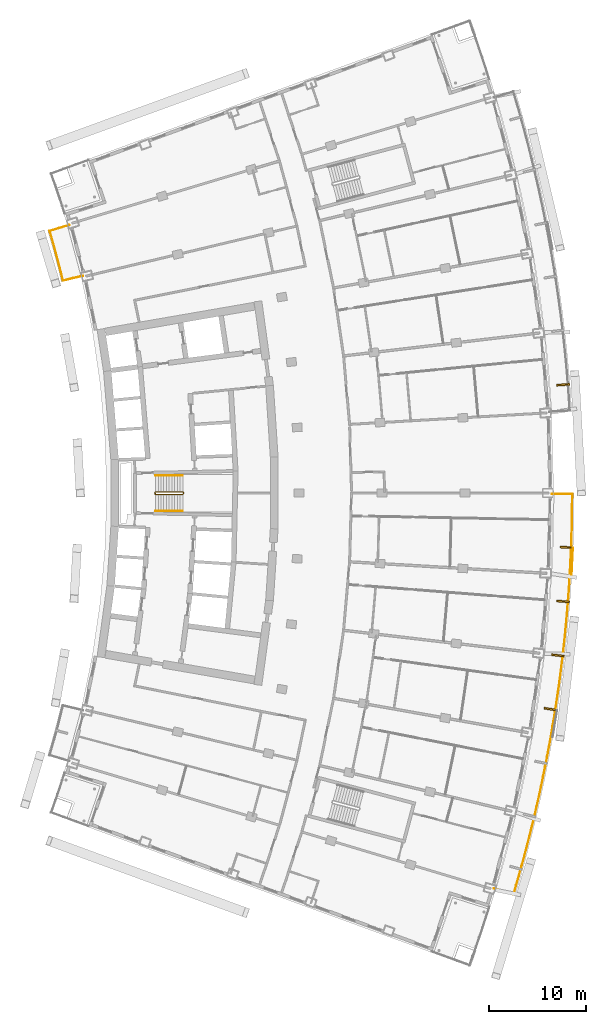
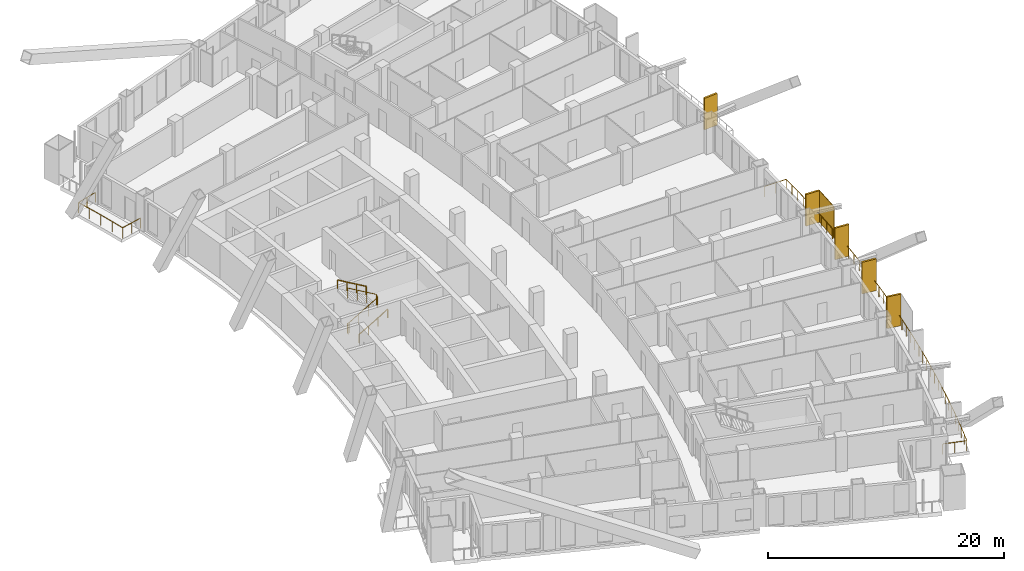
# One storey, part 24 of 25: 6 shading devices, 5 railings.
"""IFC4 building model written with IfcOpenShell, lengths in metres."""

from ifc_helpers import new_model, si_unit, direction, frame, origin, origin_with_axes, origin_2d, place, context, subcontext, project, spatial, rectangle, extrude, material, layer, layer_set, type_object, element, save


model = new_model("IFC4")

# Units and contexts
model_context = context("Model", 3, precision=1e-05, world=origin(), true_north=direction((0.0, 1.0)))
body_context = subcontext(model_context, "Body", "Model", "MODEL_VIEW")
ifc_project = project(units=[si_unit("LENGTHUNIT", "METRE"), si_unit("AREAUNIT", "SQUARE_METRE"), si_unit("VOLUMEUNIT", "CUBIC_METRE"), si_unit("PLANEANGLEUNIT", "RADIAN"), si_unit("MASSUNIT", "GRAM", prefix="KILO")], contexts=[model_context])

# Site, building, storey
site_placement = place(None, origin())
site = spatial("IfcSite", under=ifc_project, at=site_placement, CompositionType="ELEMENT")
building_placement = place(site_placement, origin())
building = spatial("IfcBuilding", under=site, at=building_placement, Name="Alderwake Tower", CompositionType="ELEMENT")
storey_placement = place(building_placement, frame((0.0, 0.0, 93.199951171875)))
storey = spatial("IfcBuildingStorey", under=building, at=storey_placement, Name="L22", CompositionType="ELEMENT", Elevation=93.199951171875)

# Railings
ifc_material_1 = material(Name="Stainless steel 316 rail and posts", Category="steel")
railing_type_1 = type_object("IfcRailingType", Name="Balcony guard 1100", PredefinedType="GUARDRAIL", material=ifc_material_1)
railing_1_placement = place(storey_placement, frame((55.839599609375, 20.320068359375, 0.0)))
element("IfcRailing", 1, at=railing_1_placement, inside=storey, type_object=railing_type_1, Name="Guard BF02", PredefinedType="GUARDRAIL", context=body_context, shape_type="SweptSolid", body=[
    extrude(rectangle(XDim=0.048095703125, YDim=0.048095703125, at=origin_2d()), frame((0.0, 0.0, 1.076171875), z_axis=(0.957954179098, -0.286921227429, 0.0), x_axis=(0.286921227429, 0.957954179098, 0.0)), (0.0, 0.0, 1.0), 2.10009765625),
    extrude(rectangle(XDim=0.048095703125, YDim=0.048095703125, at=origin_2d()), frame((2.01171875, -0.6025390625, 1.076171875), z_axis=(0.280234538423, 0.95993156187, 0.0), x_axis=(-0.95993156187, 0.280234538423, 0.0)), (0.0, 0.0, 1.0), 1.99853515625),
    extrude(rectangle(XDim=0.048095703125, YDim=0.048095703125, at=origin_2d()), frame((2.57177734375, 1.31591796875, 1.076171875), z_axis=(0.266521673868, 0.963828925359, 0.0), x_axis=(-0.963828925359, 0.266521673868, 0.0)), (0.0, 0.0, 1.0), 2.0986328125),
    extrude(rectangle(XDim=0.048095703125, YDim=0.048095703125, at=origin_2d()), frame((3.131103515625, 3.338623046875, 1.076171875), z_axis=(0.252459784968, 0.967607387825, 0.0), x_axis=(-0.967607387825, 0.252459784968, 0.0)), (0.0, 0.0, 1.0), 2.098388671875),
    extrude(rectangle(XDim=0.048095703125, YDim=0.048095703125, at=origin_2d()), frame((3.660888671875, 5.369140625, 1.076171875), z_axis=(0.238262937818, 0.971200685987, 0.0), x_axis=(-0.971200685987, 0.238262937818, 0.0)), (0.0, 0.0, 1.0), 2.0986328125),
    extrude(rectangle(XDim=0.048095703125, YDim=0.048095703125, at=origin_2d()), frame((4.160888671875, 7.4072265625, 1.076171875), z_axis=(0.224094649438, 0.974567385096, 0.0), x_axis=(-0.974567385096, 0.224094649438, 0.0)), (0.0, 0.0, 1.0), 2.098388671875),
    extrude(rectangle(XDim=0.048095703125, YDim=0.048095703125, at=origin_2d()), frame((4.631103515625, 9.4521484375, 1.076171875), z_axis=(0.209854794081, 0.977732563333, 0.0), x_axis=(-0.977732563333, 0.209854794081, 0.0)), (0.0, 0.0, 1.0), 2.0986328125),
    extrude(rectangle(XDim=0.048095703125, YDim=0.048095703125, at=origin_2d()), frame((5.071533203125, 11.504150390625, 1.076171875), z_axis=(0.195691012753, 0.980665604336, 0.0), x_axis=(-0.980665604336, 0.195691012753, 0.0)), (0.0, 0.0, 1.0), 2.098388671875),
    extrude(rectangle(XDim=0.048095703125, YDim=0.048095703125, at=origin_2d()), frame((5.482177734375, 13.56201171875, 1.076171875), z_axis=(0.18126014614, 0.983435183132, 0.0), x_axis=(-0.983435183132, 0.18126014614, 0.0)), (0.0, 0.0, 1.0), 2.098388671875),
    extrude(rectangle(XDim=0.048095703125, YDim=0.048095703125, at=origin_2d()), frame((5.862548828125, 15.625732421875, 1.076171875), z_axis=(0.16694530238, 0.985966158655, 0.0), x_axis=(-0.985966158655, 0.16694530238, 0.0)), (0.0, 0.0, 1.0), 2.0986328125),
    extrude(rectangle(XDim=0.048095703125, YDim=0.048095703125, at=origin_2d()), frame((6.212890625, 17.69482421875, 1.076171875), z_axis=(0.152520506341, 0.988300306155, 0.0), x_axis=(-0.988300306155, 0.152520506341, 0.0)), (0.0, 0.0, 1.0), 2.0986328125),
    extrude(rectangle(XDim=0.048095703125, YDim=0.048095703125, at=origin_2d()), frame((6.532958984375, 19.768798828125, 1.076171875), z_axis=(0.138097834966, 0.990418592302, 0.0), x_axis=(-0.990418592302, 0.138097834966, 0.0)), (0.0, 0.0, 1.0), 2.098388671875),
    extrude(rectangle(XDim=0.048095703125, YDim=0.048095703125, at=origin_2d()), frame((6.82275390625, 21.84716796875, 1.076171875), z_axis=(0.123662458816, 0.992324340264, 0.0), x_axis=(-0.992324340264, 0.123662458816, 0.0)), (0.0, 0.0, 1.0), 2.0986328125),
    extrude(rectangle(XDim=0.048095703125, YDim=0.048095703125, at=origin_2d()), frame((7.082275390625, 23.9296875, 1.076171875), z_axis=(0.109128966339, 0.994027599569, 0.0), x_axis=(-0.994027599569, 0.109128966339, 0.0)), (0.0, 0.0, 1.0), 2.098388671875),
    extrude(rectangle(XDim=0.048095703125, YDim=0.048095703125, at=origin_2d()), frame((7.311279296875, 26.015625, 1.076171875), z_axis=(0.094699289711, 0.995505923904, 0.0), x_axis=(-0.995505923904, 0.094699289711, 0.0)), (0.0, 0.0, 1.0), 2.0986328125),
    extrude(rectangle(XDim=0.048095703125, YDim=0.048095703125, at=origin_2d()), frame((7.510009765625, 28.104736328125, 1.076171875), z_axis=(0.080041152337, 0.996791559922, 0.0), x_axis=(-0.996791559922, 0.080041152337, 0.0)), (0.0, 0.0, 1.0), 2.0986328125),
    extrude(rectangle(XDim=0.048095703125, YDim=0.048095703125, at=origin_2d()), frame((7.677978515625, 30.196533203125, 1.076171875), z_axis=(0.065615549431, 0.997844977776, 0.0), x_axis=(-0.997844977776, 0.065615549431, 0.0)), (0.0, 0.0, 1.0), 2.0986328125),
    extrude(rectangle(XDim=0.048095703125, YDim=0.048095703125, at=origin_2d()), frame((7.815673828125, 32.29052734375, 1.076171875), z_axis=(0.050958868795, 0.998700752824, 0.0), x_axis=(-0.998700752824, 0.050958868795, 0.0)), (0.0, 0.0, 1.0), 2.098388671875),
    extrude(rectangle(XDim=0.048095703125, YDim=0.048095703125, at=origin_2d()), frame((7.922607421875, 34.38623046875, 1.076171875), z_axis=(0.036529735259, 0.999332566487, 0.0), x_axis=(-0.999332566487, 0.036529735259, 0.0)), (0.0, 0.0, 1.0), 2.0986328125),
    extrude(rectangle(XDim=0.048095703125, YDim=0.048095703125, at=origin_2d()), frame((7.999267578125, 36.4833984375, 1.076171875), z_axis=(0.021870494843, 0.999760812122, 0.0), x_axis=(-0.999760812122, 0.021870494843, 0.0)), (0.0, 0.0, 1.0), 2.0986328125),
    extrude(rectangle(XDim=0.048095703125, YDim=0.048095703125, at=origin_2d()), frame((8.045166015625, 38.58154296875, 1.076171875), z_axis=(0.007574614704, 0.999971312195, 0.0), x_axis=(-0.999971312195, 0.007574614704, 0.0)), (0.0, 0.0, 1.0), 1.998291015625),
    extrude(rectangle(XDim=0.048095703125, YDim=0.048095703125, at=origin_2d()), frame((8.060302734375, 40.579833984375, 1.076171875), z_axis=(-0.999999668817, 0.000813858584, 0.0), x_axis=(-0.000813858584, -0.999999668817, 0.0)), (0.0, 0.0, 1.0), 2.099853515625),
    extrude(rectangle(XDim=0.0419921875, YDim=0.0419921875, at=origin_2d()), frame((0.0, 0.0, 0.0), z_axis=(0.0, 0.0, 1.0), x_axis=(0.957954179098, -0.286921227429, 0.0)), (0.0, 0.0, 1.0), 1.052001953125),
    extrude(rectangle(XDim=0.0419921875, YDim=0.0419921875, at=origin_2d()), frame((1.005859375, -0.30126953125, 0.0), z_axis=(0.0, 0.0, 1.0), x_axis=(0.957954179098, -0.286921227429, 0.0)), (0.0, 0.0, 1.0), 1.052001953125),
    extrude(rectangle(XDim=0.0419921875, YDim=0.0419921875, at=origin_2d()), frame((2.01171875, -0.6025390625, 0.0), z_axis=(0.0, 0.0, 1.0), x_axis=(0.280234538423, 0.95993156187, 0.0)), (0.0, 0.0, 1.0), 1.052001953125),
    extrude(rectangle(XDim=0.0419921875, YDim=0.0419921875, at=origin_2d()), frame((2.291748046875, 0.356689453125, 0.0), z_axis=(0.0, 0.0, 1.0), x_axis=(0.280234538423, 0.95993156187, 0.0)), (0.0, 0.0, 1.0), 1.052001953125),
    extrude(rectangle(XDim=0.0419921875, YDim=0.0419921875, at=origin_2d()), frame((2.57177734375, 1.31591796875, 0.0), z_axis=(0.0, 0.0, 1.0), x_axis=(0.266521673868, 0.963828925359, 0.0)), (0.0, 0.0, 1.0), 1.052001953125),
    extrude(rectangle(XDim=0.0419921875, YDim=0.0419921875, at=origin_2d()), frame((2.8515625, 2.3271484375, 0.0), z_axis=(0.0, 0.0, 1.0), x_axis=(0.266521673868, 0.963828925359, 0.0)), (0.0, 0.0, 1.0), 1.052001953125),
    extrude(rectangle(XDim=0.0419921875, YDim=0.0419921875, at=origin_2d()), frame((3.131103515625, 3.338623046875, 0.0), z_axis=(0.0, 0.0, 1.0), x_axis=(0.252459784968, 0.967607387825, 0.0)), (0.0, 0.0, 1.0), 1.052001953125),
    extrude(rectangle(XDim=0.0419921875, YDim=0.0419921875, at=origin_2d()), frame((3.39599609375, 4.35400390625, 0.0), z_axis=(0.0, 0.0, 1.0), x_axis=(0.252459784968, 0.967607387825, 0.0)), (0.0, 0.0, 1.0), 1.052001953125),
    extrude(rectangle(XDim=0.0419921875, YDim=0.0419921875, at=origin_2d()), frame((3.660888671875, 5.369140625, 0.0), z_axis=(0.0, 0.0, 1.0), x_axis=(0.238262937818, 0.971200685987, 0.0)), (0.0, 0.0, 1.0), 1.052001953125),
    extrude(rectangle(XDim=0.0419921875, YDim=0.0419921875, at=origin_2d()), frame((3.910888671875, 6.38818359375, 0.0), z_axis=(0.0, 0.0, 1.0), x_axis=(0.238262937818, 0.971200685987, 0.0)), (0.0, 0.0, 1.0), 1.052001953125),
    extrude(rectangle(XDim=0.0419921875, YDim=0.0419921875, at=origin_2d()), frame((4.160888671875, 7.4072265625, 0.0), z_axis=(0.0, 0.0, 1.0), x_axis=(0.224094649438, 0.974567385096, 0.0)), (0.0, 0.0, 1.0), 1.052001953125),
    extrude(rectangle(XDim=0.0419921875, YDim=0.0419921875, at=origin_2d()), frame((4.39599609375, 8.4296875, 0.0), z_axis=(0.0, 0.0, 1.0), x_axis=(0.224094649438, 0.974567385096, 0.0)), (0.0, 0.0, 1.0), 1.052001953125),
    extrude(rectangle(XDim=0.0419921875, YDim=0.0419921875, at=origin_2d()), frame((4.631103515625, 9.4521484375, 0.0), z_axis=(0.0, 0.0, 1.0), x_axis=(0.209854794081, 0.977732563333, 0.0)), (0.0, 0.0, 1.0), 1.052001953125),
    extrude(rectangle(XDim=0.0419921875, YDim=0.0419921875, at=origin_2d()), frame((4.851318359375, 10.47802734375, 0.0), z_axis=(0.0, 0.0, 1.0), x_axis=(0.209854794081, 0.977732563333, 0.0)), (0.0, 0.0, 1.0), 1.052001953125),
    extrude(rectangle(XDim=0.0419921875, YDim=0.0419921875, at=origin_2d()), frame((5.071533203125, 11.504150390625, 0.0), z_axis=(0.0, 0.0, 1.0), x_axis=(0.195691012753, 0.980665604336, 0.0)), (0.0, 0.0, 1.0), 1.052001953125),
    extrude(rectangle(XDim=0.0419921875, YDim=0.0419921875, at=origin_2d()), frame((5.27685546875, 12.533203125, 0.0), z_axis=(0.0, 0.0, 1.0), x_axis=(0.195691012753, 0.980665604336, 0.0)), (0.0, 0.0, 1.0), 1.052001953125),
    extrude(rectangle(XDim=0.0419921875, YDim=0.0419921875, at=origin_2d()), frame((5.482177734375, 13.56201171875, 0.0), z_axis=(0.0, 0.0, 1.0), x_axis=(0.18126014614, 0.983435183132, 0.0)), (0.0, 0.0, 1.0), 1.052001953125),
    extrude(rectangle(XDim=0.0419921875, YDim=0.0419921875, at=origin_2d()), frame((5.67236328125, 14.59375, 0.0), z_axis=(0.0, 0.0, 1.0), x_axis=(0.18126014614, 0.983435183132, 0.0)), (0.0, 0.0, 1.0), 1.052001953125),
    extrude(rectangle(XDim=0.0419921875, YDim=0.0419921875, at=origin_2d()), frame((5.862548828125, 15.625732421875, 0.0), z_axis=(0.0, 0.0, 1.0), x_axis=(0.16694530238, 0.985966158655, 0.0)), (0.0, 0.0, 1.0), 1.052001953125),
    extrude(rectangle(XDim=0.0419921875, YDim=0.0419921875, at=origin_2d()), frame((6.03759765625, 16.66015625, 0.0), z_axis=(0.0, 0.0, 1.0), x_axis=(0.16694530238, 0.985966158655, 0.0)), (0.0, 0.0, 1.0), 1.052001953125),
    extrude(rectangle(XDim=0.0419921875, YDim=0.0419921875, at=origin_2d()), frame((6.212890625, 17.69482421875, 0.0), z_axis=(0.0, 0.0, 1.0), x_axis=(0.152520506341, 0.988300306155, 0.0)), (0.0, 0.0, 1.0), 1.052001953125),
    extrude(rectangle(XDim=0.0419921875, YDim=0.0419921875, at=origin_2d()), frame((6.373046875, 18.73193359375, 0.0), z_axis=(0.0, 0.0, 1.0), x_axis=(0.152520506341, 0.988300306155, 0.0)), (0.0, 0.0, 1.0), 1.052001953125),
    extrude(rectangle(XDim=0.0419921875, YDim=0.0419921875, at=origin_2d()), frame((6.532958984375, 19.768798828125, 0.0), z_axis=(0.0, 0.0, 1.0), x_axis=(0.138097834966, 0.990418592302, 0.0)), (0.0, 0.0, 1.0), 1.052001953125),
    extrude(rectangle(XDim=0.0419921875, YDim=0.0419921875, at=origin_2d()), frame((6.677734375, 20.80810546875, 0.0), z_axis=(0.0, 0.0, 1.0), x_axis=(0.138097834966, 0.990418592302, 0.0)), (0.0, 0.0, 1.0), 1.052001953125),
    extrude(rectangle(XDim=0.0419921875, YDim=0.0419921875, at=origin_2d()), frame((6.82275390625, 21.84716796875, 0.0), z_axis=(0.0, 0.0, 1.0), x_axis=(0.123662458816, 0.992324340264, 0.0)), (0.0, 0.0, 1.0), 1.052001953125),
    extrude(rectangle(XDim=0.0419921875, YDim=0.0419921875, at=origin_2d()), frame((6.95263671875, 22.888427734375, 0.0), z_axis=(0.0, 0.0, 1.0), x_axis=(0.123662458816, 0.992324340264, 0.0)), (0.0, 0.0, 1.0), 1.052001953125),
    extrude(rectangle(XDim=0.0419921875, YDim=0.0419921875, at=origin_2d()), frame((7.082275390625, 23.9296875, 0.0), z_axis=(0.0, 0.0, 1.0), x_axis=(0.109128966339, 0.994027599569, 0.0)), (0.0, 0.0, 1.0), 1.052001953125),
    extrude(rectangle(XDim=0.0419921875, YDim=0.0419921875, at=origin_2d()), frame((7.19677734375, 24.97265625, 0.0), z_axis=(0.0, 0.0, 1.0), x_axis=(0.109128966339, 0.994027599569, 0.0)), (0.0, 0.0, 1.0), 1.052001953125),
    extrude(rectangle(XDim=0.0419921875, YDim=0.0419921875, at=origin_2d()), frame((7.311279296875, 26.015625, 0.0), z_axis=(0.0, 0.0, 1.0), x_axis=(0.094699289711, 0.995505923904, 0.0)), (0.0, 0.0, 1.0), 1.052001953125),
    extrude(rectangle(XDim=0.0419921875, YDim=0.0419921875, at=origin_2d()), frame((7.41064453125, 27.06005859375, 0.0), z_axis=(0.0, 0.0, 1.0), x_axis=(0.094699289711, 0.995505923904, 0.0)), (0.0, 0.0, 1.0), 1.052001953125),
    extrude(rectangle(XDim=0.0419921875, YDim=0.0419921875, at=origin_2d()), frame((7.510009765625, 28.104736328125, 0.0), z_axis=(0.0, 0.0, 1.0), x_axis=(0.080041152337, 0.996791559922, 0.0)), (0.0, 0.0, 1.0), 1.052001953125),
    extrude(rectangle(XDim=0.0419921875, YDim=0.0419921875, at=origin_2d()), frame((7.593994140625, 29.150634765625, 0.0), z_axis=(0.0, 0.0, 1.0), x_axis=(0.080041152337, 0.996791559922, 0.0)), (0.0, 0.0, 1.0), 1.052001953125),
    extrude(rectangle(XDim=0.0419921875, YDim=0.0419921875, at=origin_2d()), frame((7.677978515625, 30.196533203125, 0.0), z_axis=(0.0, 0.0, 1.0), x_axis=(0.065615549431, 0.997844977776, 0.0)), (0.0, 0.0, 1.0), 1.052001953125),
    extrude(rectangle(XDim=0.0419921875, YDim=0.0419921875, at=origin_2d()), frame((7.746826171875, 31.24365234375, 0.0), z_axis=(0.0, 0.0, 1.0), x_axis=(0.065615549431, 0.997844977776, 0.0)), (0.0, 0.0, 1.0), 1.052001953125),
    extrude(rectangle(XDim=0.0419921875, YDim=0.0419921875, at=origin_2d()), frame((7.815673828125, 32.29052734375, 0.0), z_axis=(0.0, 0.0, 1.0), x_axis=(0.050958868795, 0.998700752824, 0.0)), (0.0, 0.0, 1.0), 1.052001953125),
    extrude(rectangle(XDim=0.0419921875, YDim=0.0419921875, at=origin_2d()), frame((7.869140625, 33.33837890625, 0.0), z_axis=(0.0, 0.0, 1.0), x_axis=(0.050958868795, 0.998700752824, 0.0)), (0.0, 0.0, 1.0), 1.052001953125),
    extrude(rectangle(XDim=0.0419921875, YDim=0.0419921875, at=origin_2d()), frame((7.922607421875, 34.38623046875, 0.0), z_axis=(0.0, 0.0, 1.0), x_axis=(0.036529735259, 0.999332566487, 0.0)), (0.0, 0.0, 1.0), 1.052001953125),
    extrude(rectangle(XDim=0.0419921875, YDim=0.0419921875, at=origin_2d()), frame((7.9609375, 35.434814453125, 0.0), z_axis=(0.0, 0.0, 1.0), x_axis=(0.036529735259, 0.999332566487, 0.0)), (0.0, 0.0, 1.0), 1.052001953125),
    extrude(rectangle(XDim=0.0419921875, YDim=0.0419921875, at=origin_2d()), frame((7.999267578125, 36.4833984375, 0.0), z_axis=(0.0, 0.0, 1.0), x_axis=(0.021870494843, 0.999760812122, 0.0)), (0.0, 0.0, 1.0), 1.052001953125),
    extrude(rectangle(XDim=0.0419921875, YDim=0.0419921875, at=origin_2d()), frame((8.022216796875, 37.532470703125, 0.0), z_axis=(0.0, 0.0, 1.0), x_axis=(0.021870494843, 0.999760812122, 0.0)), (0.0, 0.0, 1.0), 1.052001953125),
    extrude(rectangle(XDim=0.0419921875, YDim=0.0419921875, at=origin_2d()), frame((8.045166015625, 38.58154296875, 0.0), z_axis=(0.0, 0.0, 1.0), x_axis=(0.007574614704, 0.999971312195, 0.0)), (0.0, 0.0, 1.0), 1.052001953125),
    extrude(rectangle(XDim=0.0419921875, YDim=0.0419921875, at=origin_2d()), frame((8.052734375, 39.58056640625, 0.0), z_axis=(0.0, 0.0, 1.0), x_axis=(0.007574614704, 0.999971312195, 0.0)), (0.0, 0.0, 1.0), 1.052001953125),
    extrude(rectangle(XDim=0.0419921875, YDim=0.0419921875, at=origin_2d()), frame((8.060302734375, 40.579833984375, 0.0), z_axis=(0.0, 0.0, 1.0), x_axis=(-0.999999668817, 0.000813858584, 0.0)), (0.0, 0.0, 1.0), 1.052001953125),
    extrude(rectangle(XDim=0.0419921875, YDim=0.0419921875, at=origin_2d()), frame((7.01025390625, 40.58056640625, 0.0), z_axis=(0.0, 0.0, 1.0), x_axis=(-0.999999668817, 0.000813858584, 0.0)), (0.0, 0.0, 1.0), 1.052001953125),
    extrude(rectangle(XDim=0.0419921875, YDim=0.0419921875, at=origin_2d()), frame((5.96044921875, 40.58154296875, 0.0), z_axis=(0.0, 0.0, 1.0), x_axis=(-0.999999668817, 0.000813858584, 0.0)), (0.0, 0.0, 1.0), 1.052001953125),
])
railing_2_placement = place(storey_placement, frame((13.5693359375, 83.343017578125, 0.0)))
element("IfcRailing", 2, at=railing_2_placement, inside=storey, type_object=railing_type_1, Name="Guard BR11", PredefinedType="GUARDRAIL", context=body_context, shape_type="SweptSolid", body=[
    extrude(rectangle(XDim=0.048095703125, YDim=0.048095703125, at=origin_2d()), frame((0.0, 0.0, 1.076171875), z_axis=(-0.972646310656, -0.232291098337, 0.0), x_axis=(0.232291098337, -0.972646310656, 0.0)), (0.0, 0.0, 1.0), 2.099853515625),
    extrude(rectangle(XDim=0.048095703125, YDim=0.048095703125, at=origin_2d()), frame((-2.04248046875, -0.48779296875, 1.076171875), z_axis=(-0.238877101641, 0.971049808358, 0.0), x_axis=(-0.971049808358, -0.238877101641, 0.0)), (0.0, 0.0, 1.0), 1.2724609375),
    extrude(rectangle(XDim=0.048095703125, YDim=0.048095703125, at=origin_2d()), frame((-2.346435546875, 0.747802734375, 1.076171875), z_axis=(-0.252487086228, 0.967600264204, 0.0), x_axis=(-0.967600264204, -0.252487086228, 0.0)), (0.0, 0.0, 1.0), 1.3720703125),
    extrude(rectangle(XDim=0.048095703125, YDim=0.048095703125, at=origin_2d()), frame((-2.69287109375, 2.075439453125, 1.076171875), z_axis=(-0.266487604617, 0.963838345671, 0.0), x_axis=(-0.963838345671, -0.266487604617, 0.0)), (0.0, 0.0, 1.0), 1.372314453125),
    extrude(rectangle(XDim=0.048095703125, YDim=0.048095703125, at=origin_2d()), frame((-3.05859375, 3.398193359375, 1.076171875), z_axis=(-0.279963157487, 0.960010744966, 0.0), x_axis=(-0.960010744966, -0.279963157487, 0.0)), (0.0, 0.0, 1.0), 1.272216796875),
    extrude(rectangle(XDim=0.048095703125, YDim=0.048095703125, at=origin_2d()), frame((-3.414794921875, 4.61962890625, 1.076171875), z_axis=(0.958091458885, 0.286462486918, 0.0), x_axis=(-0.286462486918, 0.958091458885, 0.0)), (0.0, 0.0, 1.0), 2.099853515625),
    extrude(rectangle(XDim=0.0419921875, YDim=0.0419921875, at=origin_2d()), frame((0.0, 0.0, 0.0), z_axis=(0.0, 0.0, 1.0), x_axis=(-0.972646310656, -0.232291098337, 0.0)), (0.0, 0.0, 1.0), 1.052001953125),
    extrude(rectangle(XDim=0.0419921875, YDim=0.0419921875, at=origin_2d()), frame((-1.021240234375, -0.243896484375, 0.0), z_axis=(0.0, 0.0, 1.0), x_axis=(-0.972646310656, -0.232291098337, 0.0)), (0.0, 0.0, 1.0), 1.052001953125),
    extrude(rectangle(XDim=0.0419921875, YDim=0.0419921875, at=origin_2d()), frame((-2.04248046875, -0.48779296875, 0.0), z_axis=(0.0, 0.0, 1.0), x_axis=(-0.238877101641, 0.971049808358, 0.0)), (0.0, 0.0, 1.0), 1.052001953125),
    extrude(rectangle(XDim=0.0419921875, YDim=0.0419921875, at=origin_2d()), frame((-2.346435546875, 0.747802734375, 0.0), z_axis=(0.0, 0.0, 1.0), x_axis=(-0.252487086228, 0.967600264204, 0.0)), (0.0, 0.0, 1.0), 1.052001953125),
    extrude(rectangle(XDim=0.0419921875, YDim=0.0419921875, at=origin_2d()), frame((-2.69287109375, 2.075439453125, 0.0), z_axis=(0.0, 0.0, 1.0), x_axis=(-0.266487604617, 0.963838345671, 0.0)), (0.0, 0.0, 1.0), 1.052001953125),
    extrude(rectangle(XDim=0.0419921875, YDim=0.0419921875, at=origin_2d()), frame((-3.05859375, 3.398193359375, 0.0), z_axis=(0.0, 0.0, 1.0), x_axis=(-0.279963157487, 0.960010744966, 0.0)), (0.0, 0.0, 1.0), 1.052001953125),
    extrude(rectangle(XDim=0.0419921875, YDim=0.0419921875, at=origin_2d()), frame((-3.414794921875, 4.61962890625, 0.0), z_axis=(0.0, 0.0, 1.0), x_axis=(0.958091458885, 0.286462486918, 0.0)), (0.0, 0.0, 1.0), 1.052001953125),
    extrude(rectangle(XDim=0.0419921875, YDim=0.0419921875, at=origin_2d()), frame((-2.40869140625, 4.92041015625, 0.0), z_axis=(0.0, 0.0, 1.0), x_axis=(0.958091458885, 0.286462486918, 0.0)), (0.0, 0.0, 1.0), 1.052001953125),
    extrude(rectangle(XDim=0.0419921875, YDim=0.0419921875, at=origin_2d()), frame((-1.40283203125, 5.22119140625, 0.0), z_axis=(0.0, 0.0, 1.0), x_axis=(0.958091458885, 0.286462486918, 0.0)), (0.0, 0.0, 1.0), 1.052001953125),
])

# Shading devices
ifc_material_2 = material(Name="Bronze anodised aluminium", Category="aluminium")
ifc_layer_1 = layer(ifc_material_2, 0.179931640625)
ifc_layer_set_1 = layer_set([ifc_layer_1], Name="Facade fin 1300")
shading_device_type_1 = type_object("IfcShadingDeviceType", Name="Facade fin 1300", PredefinedType="USERDEFINED", material=ifc_layer_set_1)
for number, where, z_axis, x_axis, name in (
    (3, (61.66748046875, 38.77685546875, 0.0), (0.0, 0.0, 1.0), (0.987918787879, -0.154972476771, 0.0), "Fin"),
    (4, (62.424560546875, 44.30322265625, 0.0), (0.0, 0.0, 1.0), (0.993198315083, -0.116434990084, 0.0), "Fin"),
    (5, (62.96630859375, 49.854736328125, 0.0), (0.0, 0.0, 1.0), (0.996975122026, -0.077721335943, 0.0), "Fin"),
    (6, (63.29150390625, 55.423095703125, 0.0), (0.0, 0.0, 1.0), (0.999243494356, -0.038890088543, 0.0), "Fin"),
    (7, (62.96630859375, 72.145263671875, 0.0), (0.0, 0.0, 1.0), (0.996975122026, 0.077721335943, 0.0), "Fin"),
):
    element("IfcShadingDevice", number, at=place(storey_placement, frame(where, z_axis=z_axis, x_axis=x_axis)), inside=storey, type_object=shading_device_type_1, Name=name, ObjectType="FIN", PredefinedType="USERDEFINED", context=body_context, shape_type="SweptSolid", body=[
        extrude(rectangle(XDim=1.300048828125, YDim=0.179931640625, at=origin_2d()), origin(), (0.0, 0.0, 1.0), 3.280029296875),
    ])
ifc_material_3 = material(Name="Perforated bronze anodised aluminium", Category="aluminium")
ifc_layer_2 = layer(ifc_material_3, 0.050048828125)
ifc_layer_set_2 = layer_set([ifc_layer_2], Name="Perforated screen panel")
shading_device_type_2 = type_object("IfcShadingDeviceType", Name="Perforated screen panel", PredefinedType="USERDEFINED", material=ifc_layer_set_2)
shading_device_placement = place(storey_placement, frame((63.898193359375, 54.0009765625, 0.0), z_axis=(0.0, 0.0, 1.0), x_axis=(0.998819231138, -0.048581308217, 0.0)))
element("IfcShadingDevice", 8, at=shading_device_placement, inside=storey, type_object=shading_device_type_2, Name="Screen panel", ObjectType="SCREEN", PredefinedType="USERDEFINED", context=body_context, shape_type="SweptSolid", body=[
    extrude(rectangle(XDim=0.050048828125, YDim=2.794921875, at=origin_2d()), origin(), (0.0, 0.0, 1.0), 3.280029296875),
])

# Railings
ifc_material_4 = material(Name="Stainless steel guard", Category="steel")
railing_type_2 = type_object("IfcRailingType", Name="Stair guard 1100", PredefinedType="GUARDRAIL", material=ifc_material_4)
railing_3_placement = place(storey_placement, frame((20.989990234375, 60.925048828125, 0.0)))
element("IfcRailing", 9, at=railing_3_placement, inside=storey, type_object=railing_type_2, Name="L22 ST-B stair guard 1", PredefinedType="GUARDRAIL", context=body_context, shape_type="SweptSolid", body=[
    extrude(rectangle(XDim=0.048095703125, YDim=0.048095703125, at=origin_2d()), frame((0.0, 0.0, 1.076171875), z_axis=(0.0, 1.0, 0.0), x_axis=(-1.0, 0.0, 0.0)), (0.0, 0.0, 1.0), 0.14990234375),
    extrude(rectangle(XDim=0.048095703125, YDim=0.048095703125, at=origin_2d()), frame((0.0, 0.14990234375, 1.076171875), z_axis=(0.190199549216, -0.759870394187, 0.621627795), x_axis=(0.970072785993, 0.242814311512, 0.0)), (0.0, 0.0, 1.0), 0.26318359375),
    extrude(rectangle(XDim=0.048095703125, YDim=0.048095703125, at=origin_2d()), frame((0.050048828125, -0.050048828125, 1.23974609375), z_axis=(0.863360870873, 0.0, 0.504586966384), x_axis=(0.0, 1.0, 0.0)), (0.0, 0.0, 1.0), 3.2431640625),
    extrude(rectangle(XDim=0.048095703125, YDim=0.048095703125, at=origin_2d()), frame((2.85009765625, -0.050048828125, 2.8759765625), z_axis=(0.705375805398, 0.708833529934, 0.0), x_axis=(-0.708833529934, 0.705375805398, 0.0)), (0.0, 0.0, 1.0), 0.070556640625),
    extrude(rectangle(XDim=0.048095703125, YDim=0.048095703125, at=origin_2d()), frame((2.89990234375, 0.0, 2.8759765625), z_axis=(0.0, 1.0, 0.0), x_axis=(-1.0, 0.0, 0.0)), (0.0, 0.0, 1.0), 0.14990234375),
    extrude(rectangle(XDim=0.048095703125, YDim=0.048095703125, at=origin_2d()), frame((2.89990234375, 0.14990234375, 2.8759765625), z_axis=(-0.279546231943, 0.280916556609, 0.91811752648), x_axis=(-0.708833529934, -0.705375805398, 0.0)), (0.0, 0.0, 1.0), 0.17822265625),
    extrude(rectangle(XDim=0.048095703125, YDim=0.048095703125, at=origin_2d()), frame((2.85009765625, 0.199951171875, 3.03955078125), z_axis=(-0.863360870873, 0.0, 0.504586966384), x_axis=(0.0, -1.0, 0.0)), (0.0, 0.0, 1.0), 3.2431640625),
    extrude(rectangle(XDim=0.0419921875, YDim=0.0419921875, at=origin_2d()), frame((0.0, 0.0, 0.0), z_axis=(0.0, 0.0, 1.0), x_axis=(0.0, 1.0, 0.0)), (0.0, 0.0, 1.0), 1.052001953125),
    extrude(rectangle(XDim=0.0419921875, YDim=0.0419921875, at=origin_2d()), frame((0.0, 0.14990234375, 0.0), z_axis=(0.0, 0.0, 1.0), x_axis=(0.242814311512, -0.970072785993, 0.0)), (0.0, 0.0, 1.0), 1.052001953125),
    extrude(rectangle(XDim=0.0419921875, YDim=0.0419921875, at=origin_2d()), frame((0.050048828125, -0.050048828125, 0.16357421875), z_axis=(0.0, 0.0, 1.0), x_axis=(1.0, 0.0, 0.0)), (0.0, 0.0, 1.0), 1.052001953125),
    extrude(rectangle(XDim=0.0419921875, YDim=0.0419921875, at=origin_2d()), frame((0.9833984375, -0.050048828125, 0.708984375), z_axis=(0.0, 0.0, 1.0), x_axis=(1.0, 0.0, 0.0)), (0.0, 0.0, 1.0), 1.052001953125),
    extrude(rectangle(XDim=0.0419921875, YDim=0.0419921875, at=origin_2d()), frame((1.916748046875, -0.050048828125, 1.254638671875), z_axis=(0.0, 0.0, 1.0), x_axis=(1.0, 0.0, 0.0)), (0.0, 0.0, 1.0), 1.052001953125),
    extrude(rectangle(XDim=0.0419921875, YDim=0.0419921875, at=origin_2d()), frame((2.85009765625, -0.050048828125, 1.800048828125), z_axis=(0.0, 0.0, 1.0), x_axis=(0.705375805398, 0.708833529934, 0.0)), (0.0, 0.0, 1.0), 1.052001953125),
    extrude(rectangle(XDim=0.0419921875, YDim=0.0419921875, at=origin_2d()), frame((2.89990234375, 0.0, 1.800048828125), z_axis=(0.0, 0.0, 1.0), x_axis=(0.0, 1.0, 0.0)), (0.0, 0.0, 1.0), 1.052001953125),
    extrude(rectangle(XDim=0.0419921875, YDim=0.0419921875, at=origin_2d()), frame((2.89990234375, 0.14990234375, 1.800048828125), z_axis=(0.0, 0.0, 1.0), x_axis=(-0.705375805398, 0.708833529934, 0.0)), (0.0, 0.0, 1.0), 1.052001953125),
    extrude(rectangle(XDim=0.0419921875, YDim=0.0419921875, at=origin_2d()), frame((2.85009765625, 0.199951171875, 1.963623046875), z_axis=(0.0, 0.0, 1.0), x_axis=(-1.0, 0.0, 0.0)), (0.0, 0.0, 1.0), 1.052001953125),
    extrude(rectangle(XDim=0.0419921875, YDim=0.0419921875, at=origin_2d()), frame((1.916748046875, 0.199951171875, 2.509033203125), z_axis=(0.0, 0.0, 1.0), x_axis=(-1.0, 0.0, 0.0)), (0.0, 0.0, 1.0), 1.052001953125),
    extrude(rectangle(XDim=0.0419921875, YDim=0.0419921875, at=origin_2d()), frame((0.9833984375, 0.199951171875, 3.0546875), z_axis=(0.0, 0.0, 1.0), x_axis=(-1.0, 0.0, 0.0)), (0.0, 0.0, 1.0), 1.052001953125),
    extrude(rectangle(XDim=0.0419921875, YDim=0.0419921875, at=origin_2d()), frame((0.050048828125, 0.199951171875, 3.60009765625), z_axis=(0.0, 0.0, 1.0), x_axis=(-1.0, 0.0, 0.0)), (0.0, 0.0, 1.0), 1.052001953125),
])
ifc_material_5 = material(Name="Stainless steel handrail", Category="steel")
railing_type_3 = type_object("IfcRailingType", Name="Stair handrail 900", PredefinedType="HANDRAIL", material=ifc_material_5)
railing_4_placement = place(storey_placement, frame((21.0400390625, 59.175048828125, 0.16357421875)))
element("IfcRailing", 10, at=railing_4_placement, inside=storey, type_object=railing_type_3, Name="L22 ST-B stair handrail 1", PredefinedType="HANDRAIL", context=body_context, shape_type="SweptSolid", body=[
    extrude(rectangle(XDim=0.048095703125, YDim=0.048095703125, at=origin_2d()), frame((0.0, 0.0, 0.8759765625), z_axis=(0.863360870873, 0.0, 0.504586966384), x_axis=(0.0, 1.0, 0.0)), (0.0, 0.0, 1.0), 3.2431640625),
    extrude(rectangle(XDim=0.0419921875, YDim=0.0419921875, at=origin_2d()), origin_with_axes(), (0.0, 0.0, 1.0), 0.851806640625),
    extrude(rectangle(XDim=0.0419921875, YDim=0.0419921875, at=origin_2d()), frame((0.933349609375, 0.0, 0.54541015625), z_axis=(0.0, 0.0, 1.0), x_axis=(1.0, 0.0, 0.0)), (0.0, 0.0, 1.0), 0.851806640625),
    extrude(rectangle(XDim=0.0419921875, YDim=0.0419921875, at=origin_2d()), frame((1.86669921875, 0.0, 1.091064453125), z_axis=(0.0, 0.0, 1.0), x_axis=(1.0, 0.0, 0.0)), (0.0, 0.0, 1.0), 0.851806640625),
    extrude(rectangle(XDim=0.0419921875, YDim=0.0419921875, at=origin_2d()), frame((2.800048828125, 0.0, 1.636474609375), z_axis=(0.0, 0.0, 1.0), x_axis=(1.0, 0.0, 0.0)), (0.0, 0.0, 1.0), 0.851806640625),
])
railing_5_placement = place(storey_placement, frame((23.840087890625, 62.824951171875, 1.963623046875)))
element("IfcRailing", 11, at=railing_5_placement, inside=storey, type_object=railing_type_3, Name="L22 ST-B stair handrail 2", PredefinedType="HANDRAIL", context=body_context, shape_type="SweptSolid", body=[
    extrude(rectangle(XDim=0.048095703125, YDim=0.048095703125, at=origin_2d()), frame((0.0, 0.0, 0.8759765625), z_axis=(-0.863360870873, 0.0, 0.504586966384), x_axis=(0.0, -1.0, 0.0)), (0.0, 0.0, 1.0), 3.2431640625),
    extrude(rectangle(XDim=0.0419921875, YDim=0.0419921875, at=origin_2d()), frame((0.0, 0.0, 0.0), z_axis=(0.0, 0.0, 1.0), x_axis=(-1.0, 0.0, 0.0)), (0.0, 0.0, 1.0), 0.851806640625),
    extrude(rectangle(XDim=0.0419921875, YDim=0.0419921875, at=origin_2d()), frame((-0.933349609375, 0.0, 0.54541015625), z_axis=(0.0, 0.0, 1.0), x_axis=(-1.0, 0.0, 0.0)), (0.0, 0.0, 1.0), 0.851806640625),
    extrude(rectangle(XDim=0.0419921875, YDim=0.0419921875, at=origin_2d()), frame((-1.86669921875, 0.0, 1.091064453125), z_axis=(0.0, 0.0, 1.0), x_axis=(-1.0, 0.0, 0.0)), (0.0, 0.0, 1.0), 0.851806640625),
    extrude(rectangle(XDim=0.0419921875, YDim=0.0419921875, at=origin_2d()), frame((-2.800048828125, 0.0, 1.636474609375), z_axis=(0.0, 0.0, 1.0), x_axis=(-1.0, 0.0, 0.0)), (0.0, 0.0, 1.0), 0.851806640625),
])

save(model, "model.ifc")
